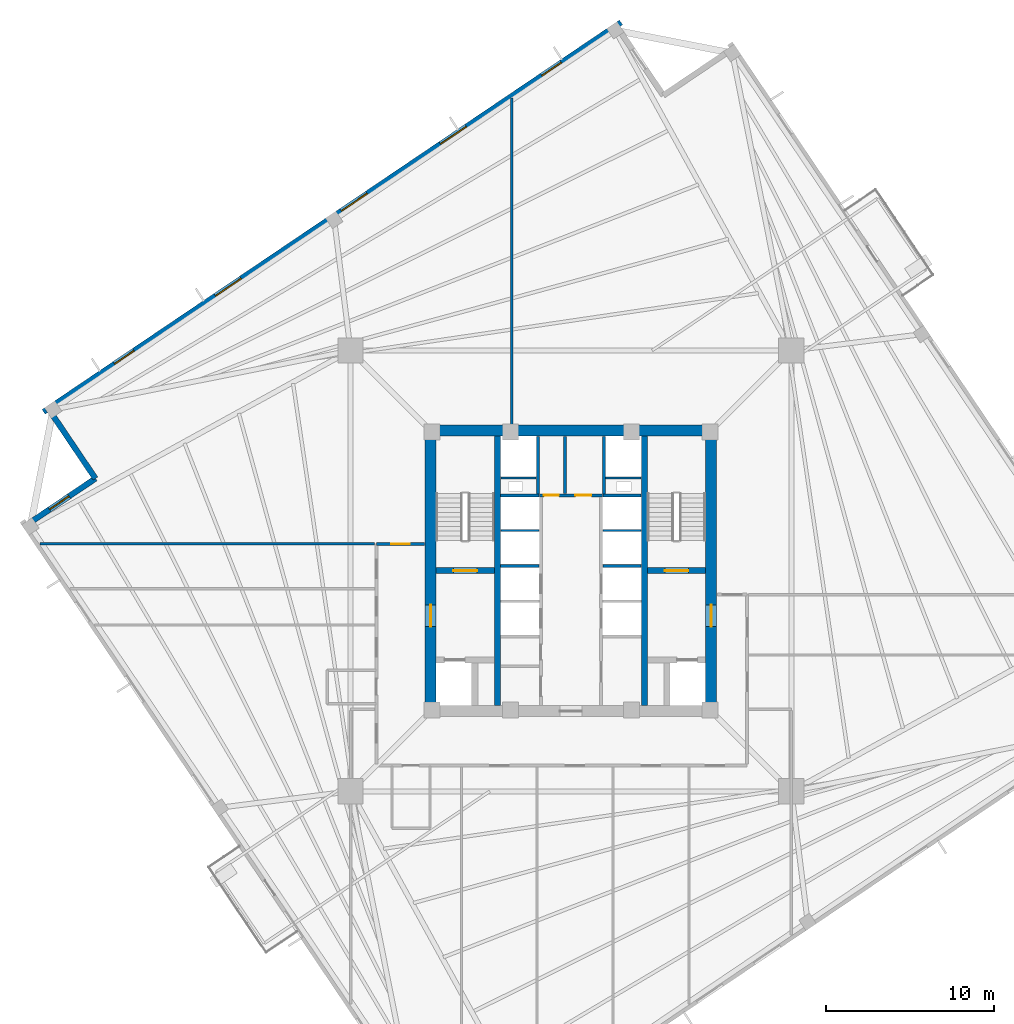
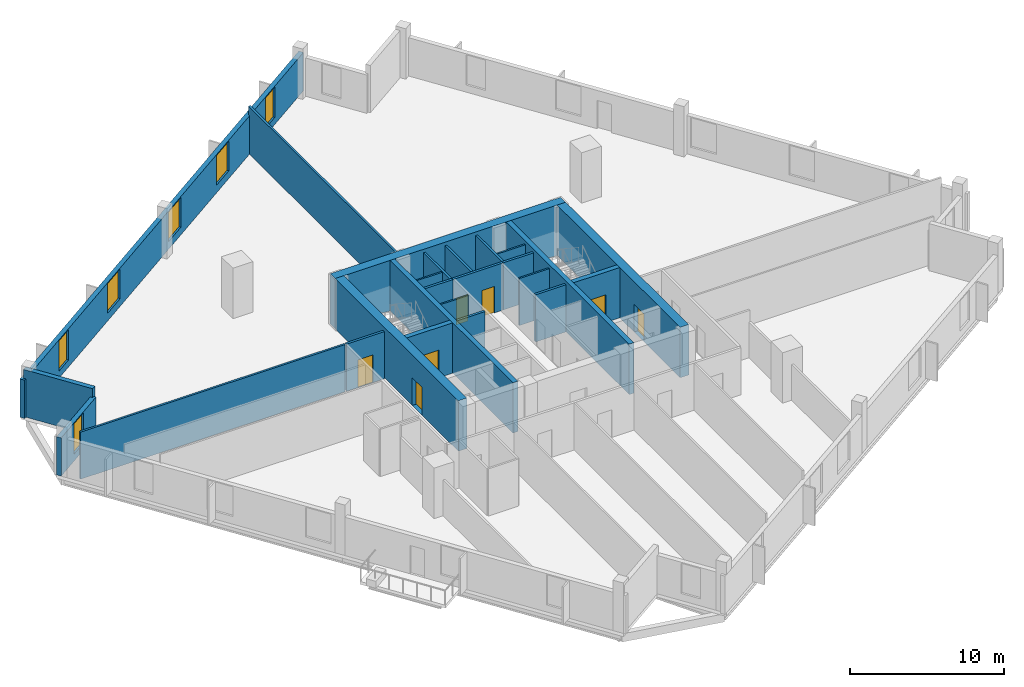
# One storey, part 5 of 9: 25 walls, 7 doors, 6 windows, 13 openings.
"""IFC4 building model written with IfcOpenShell, lengths in metres."""

from ifc_helpers import new_model, si_unit, direction, frame, frame_2d, origin, place, context, subcontext, project, spatial, rectangle, extrude, source, transform, mapped, material, layer, layer_set, type_object, element, fill, save


model = new_model("IFC4")

# Units and contexts
model_context = context("Model", 3, precision=1e-05, world=origin(), true_north=direction((0.0, 1.0)))
body_context = subcontext(model_context, "Body", "Model", "MODEL_VIEW")
ifc_project = project(units=[si_unit("LENGTHUNIT", "METRE"), si_unit("AREAUNIT", "SQUARE_METRE"), si_unit("VOLUMEUNIT", "CUBIC_METRE"), si_unit("PLANEANGLEUNIT", "RADIAN"), si_unit("MASSUNIT", "GRAM", prefix="KILO"), si_unit("THERMODYNAMICTEMPERATUREUNIT", "KELVIN")], contexts=[model_context])

# Site, building, storey
site_placement = place(None, origin())
site = spatial("IfcSite", under=ifc_project, at=site_placement, CompositionType="ELEMENT")
building_placement = place(site_placement, origin())
building = spatial("IfcBuilding", under=site, at=building_placement, Name="Kosmvard Interchange Tower", CompositionType="ELEMENT")
storey_placement = place(building_placement, frame((0.0, 0.0, 156.39990234375)))
storey = spatial("IfcBuildingStorey", under=building, at=storey_placement, Name="L37", CompositionType="ELEMENT", Elevation=156.39990234375)

# Walls
ifc_material_1 = material(Name="Acoustic gypsum partition system")
ifc_layer_1 = layer(ifc_material_1, 0.14990234375, Name="Acoustic gypsum partition system")
ifc_layer_set_1 = layer_set([ifc_layer_1], Name="Acoustic gypsum partition system")
wall_type_1 = type_object("IfcWallType", Name="Acoustic Suite & Meeting Partition 150", PredefinedType="PARTITIONING", material=ifc_layer_set_1)
wall_1_placement = place(storey_placement, frame((-3.5, 8.655029296875, 0.0), z_axis=(0.0, 0.0, 1.0), x_axis=(0.0, 1.0, 0.0)))
element("IfcWall", 1, at=wall_1_placement, inside=storey, type_object=wall_type_1, Name="L37 Room Partition 01.1", PredefinedType="PARTITIONING", context=body_context, shape_type="SweptSolid", body=[
    extrude(rectangle(XDim=19.4111328125, YDim=0.14990234375, at=frame_2d((9.70556640625, 0.0))), origin(), (0.0, 0.0, 1.0), 3.739990234375),
])
wall_2_placement = place(storey_placement, frame((-31.506103515625, 1.60009765625, 0.0), z_axis=(0.0, 0.0, 1.0), x_axis=(1.0, 0.0, 0.0)))
element("IfcWall", 2, at=wall_2_placement, inside=storey, type_object=wall_type_1, Name="L37 Room Partition 03.1", PredefinedType="PARTITIONING", context=body_context, shape_type="SweptSolid", body=[
    extrude(rectangle(XDim=19.861083984375, YDim=0.14990234375, at=frame_2d((9.9306640625, 0.0))), origin(), (0.0, 0.0, 1.0), 3.739990234375),
])
ifc_material_2 = material(Name="Fire-rated gypsum partition system")
ifc_layer_2 = layer(ifc_material_2, 0.159912109375, Name="Fire-rated gypsum partition system")
ifc_layer_set_2 = layer_set([ifc_layer_2], Name="Fire-rated gypsum partition system")
wall_type_2 = type_object("IfcWallType", Name="Core Compartment & Shuttle Lobby Partition 160", PredefinedType="PARTITIONING", material=ifc_layer_set_2)
for number, where, z_axis, x_axis, name in (
    (3, (-1.9599609375, 4.580078125, 0.0), (0.0, 0.0, 1.0), (0.0, 1.0, 0.0), "L37 North Core West Wall"),
    (4, (1.9599609375, 4.580078125, 0.0), (0.0, 0.0, 1.0), (0.0, 1.0, 0.0), "L37 North Core East Wall"),
):
    element("IfcWall", number, at=place(storey_placement, frame(where, z_axis=z_axis, x_axis=x_axis)), inside=storey, type_object=wall_type_2, Name=name, PredefinedType="PARTITIONING", context=body_context, shape_type="SweptSolid", body=[
        extrude(rectangle(XDim=3.39990234375, YDim=0.159912109375, at=frame_2d((1.699951171875, 0.0))), origin(), (0.0, 0.0, 1.0), 3.739990234375),
    ])
ifc_material_3 = material(Name="Concrete blockwork masonry", Category="masonry")
ifc_layer_3 = layer(ifc_material_3, 0.159912109375, Name="Concrete blockwork masonry")
ifc_layer_set_3 = layer_set([ifc_layer_3], Name="Concrete blockwork masonry")
wall_type_3 = type_object("IfcWallType", Name="Core Enclosure Split Wall 160", PredefinedType="PARTITIONING", material=ifc_layer_set_3)
wall_3_placement = place(storey_placement, frame((-0.35009765625, 4.60009765625, 0.0), z_axis=(0.0, 0.0, 1.0), x_axis=(0.0, 1.0, 0.0)))
element("IfcWall", 5, at=wall_3_placement, inside=storey, type_object=wall_type_3, Name="L37 Core K2 Split Wall", PredefinedType="PARTITIONING", context=body_context, shape_type="SweptSolid", body=[
    extrude(rectangle(XDim=3.3798828125, YDim=0.159912109375, at=frame_2d((1.68994140625, 0.0))), origin(), (0.0, 0.0, 1.0), 3.739990234375),
])

# Wall, openings, doors
ifc_layer_4 = layer(ifc_material_2, 0.179931640625, Name="Fire-rated gypsum partition system")
ifc_layer_set_4 = layer_set([ifc_layer_4], Name="Fire-rated gypsum partition system")
wall_type_4 = type_object("IfcWallType", Name="Corridor & Hotel Compartment Partition 180", PredefinedType="PARTITIONING", material=ifc_layer_set_4)
wall_4_placement = place(storey_placement, frame((-1.8798828125, 4.489990234375, 0.0), z_axis=(0.0, 0.0, 1.0), x_axis=(1.0, 0.0, 0.0)))
wall_4 = element("IfcWall", 6, at=wall_4_placement, inside=storey, type_object=wall_type_4, Name="L37 Lift Lobby North Partition", PredefinedType="PARTITIONING", context=body_context, shape_type="SweptSolid", body=[
    extrude(rectangle(XDim=3.759765625, YDim=0.179931640625, at=frame_2d((1.8798828125, 0.0))), origin(), (0.0, 0.0, 1.0), 3.739990234375),
])
opening_1_placement = place(wall_4_placement, frame((0.280029296875, 0.0, 0.0)))
opening_1 = element("IfcOpeningElement", 7, at=opening_1_placement, cuts=wall_4, Name="Opening L37-KD1", PredefinedType="OPENING", context=body_context, shape_type="SweptSolid", body=[
    extrude(rectangle(XDim=0.8798828125, YDim=2.10009765625, at=frame_2d((0.43994140625, 1.050048828125))), frame((0.0, 0.10009765625, 0.0), z_axis=(0.0, -1.0, 0.0), x_axis=(1.0, 0.0, 0.0)), (0.0, 0.0, 1.0), 0.199951171875),
])
opening_2_placement = place(wall_4_placement, frame((2.14990234375, 0.0, 0.0)))
opening_2 = element("IfcOpeningElement", 8, at=opening_2_placement, cuts=wall_4, Name="Opening L37-KD2", PredefinedType="OPENING", context=body_context, shape_type="SweptSolid", body=[
    extrude(rectangle(XDim=0.949951171875, YDim=2.10009765625, at=frame_2d((0.47509765625, 1.050048828125))), frame((0.0, 0.10009765625, 0.0), z_axis=(0.0, -1.0, 0.0), x_axis=(1.0, 0.0, 0.0)), (0.0, 0.0, 1.0), 0.199951171875),
])
ifc_material_4 = material(Name="Painted fire-rated timber leaf", Category="wood")
door_type_1 = type_object("IfcDoorType", Name="Core Service Fire Door 950x2100 EI30", OperationType="NOTDEFINED", PredefinedType="DOOR", material=ifc_material_4)
shared_shape_1 = source(origin(), body_context, "Body", "SweptSolid", [
    extrude(rectangle(XDim=0.949951171875, YDim=2.10009765625, at=frame_2d((0.47509765625, 1.050048828125))), frame((0.0, 0.02490234375, 0.0), z_axis=(0.0, -1.0, 0.0), x_axis=(1.0, 0.0, 0.0)), (0.0, 0.0, 1.0), 0.050048828125),
])
door_1_placement = place(opening_2_placement, origin())
door_1 = element("IfcDoor", 9, at=door_1_placement, inside=storey, type_object=door_type_1, Name="L37 Core Tea Pantry Door", OperationType="SINGLE_SWING_RIGHT", OverallHeight=2.10009765625, OverallWidth=0.949951171875, PredefinedType="DOOR", context=body_context, shape_type="MappedRepresentation", body=[
    mapped(shared_shape_1, transform((0.0, 0.0, 0.0), scale=1.0)),
])
fill(opening_2, door_1)
door_type_2 = type_object("IfcDoorType", Name="Core Cupboard Fire Door 880x2100 EI30", OperationType="NOTDEFINED", PredefinedType="DOOR", material=ifc_material_4)
shared_shape_2 = source(origin(), body_context, "Body", "SweptSolid", [
    extrude(rectangle(XDim=0.8798828125, YDim=2.10009765625, at=frame_2d((0.43994140625, 1.050048828125))), frame((0.0, 0.02490234375, 0.0), z_axis=(0.0, -1.0, 0.0), x_axis=(1.0, 0.0, 0.0)), (0.0, 0.0, 1.0), 0.050048828125),
])
door_2_placement = place(opening_1_placement, origin())
door_2 = element("IfcDoor", 10, at=door_2_placement, inside=storey, type_object=door_type_2, Name="L37 Core Cleaner Cupboard Door", OperationType="SINGLE_SWING_LEFT", OverallHeight=2.10009765625, OverallWidth=0.8798828125, PredefinedType="DOOR", context=body_context, shape_type="MappedRepresentation", body=[
    mapped(shared_shape_2, transform((0.0, 0.0, 0.0), scale=1.0)),
])
fill(opening_1, door_2)

# Wall, opening, door
wall_5_placement = place(storey_placement, frame((-11.550048828125, 1.60009765625, 0.0), z_axis=(0.0, 0.0, 1.0), x_axis=(1.0, 0.0, 0.0)))
wall_5 = element("IfcWall", 11, at=wall_5_placement, inside=storey, type_object=wall_type_4, Name="L37 Corridor Wall CNW", PredefinedType="PARTITIONING", context=body_context, shape_type="SweptSolid", body=[
    extrude(rectangle(XDim=2.85009765625, YDim=0.179931640625, at=frame_2d((1.425048828125, 0.0))), origin(), (0.0, 0.0, 1.0), 3.739990234375),
])
opening_3_placement = place(wall_5_placement, frame((0.875, 0.0, 0.0)))
opening_3 = element("IfcOpeningElement", 12, at=opening_3_placement, cuts=wall_5, Name="Opening L37-D04", PredefinedType="OPENING", context=body_context, shape_type="SweptSolid", body=[
    extrude(rectangle(XDim=1.10009765625, YDim=2.199951171875, at=frame_2d((0.550048828125, 1.10009765625))), frame((0.0, 0.10009765625, 0.0), z_axis=(0.0, -1.0, 0.0), x_axis=(1.0, 0.0, 0.0)), (0.0, 0.0, 1.0), 0.199951171875),
])
ifc_material_5 = material(Name="Engineered oak fire-rated timber", Category="wood")
door_type_3 = type_object("IfcDoorType", Name="Office Suite Entrance Door 1100x2200 FD30S", OperationType="NOTDEFINED", PredefinedType="DOOR", material=ifc_material_5)
shared_shape_3 = source(origin(), body_context, "Body", "SweptSolid", [
    extrude(rectangle(XDim=1.10009765625, YDim=2.199951171875, at=frame_2d((0.550048828125, 1.10009765625))), frame((0.0, 0.02490234375, 0.0), z_axis=(0.0, -1.0, 0.0), x_axis=(1.0, 0.0, 0.0)), (0.0, 0.0, 1.0), 0.050048828125),
])
door_3_placement = place(opening_3_placement, origin())
door_3 = element("IfcDoor", 13, at=door_3_placement, inside=storey, type_object=door_type_3, Name="L37 North-West Software Workplace Door", OperationType="SINGLE_SWING_RIGHT", OverallHeight=2.199951171875, OverallWidth=1.10009765625, PredefinedType="DOOR", context=body_context, shape_type="MappedRepresentation", body=[
    mapped(shared_shape_3, transform((0.0, 0.0, 0.0), scale=1.0)),
])
fill(opening_3, door_3)

# Wall
ifc_material_6 = material(Name="Concrete C70/85", Category="concrete")
ifc_layer_5 = layer(ifc_material_6, 0.64990234375, Name="Concrete C70/85")
ifc_layer_set_5 = layer_set([ifc_layer_5], Name="Concrete C70/85")
wall_type_5 = type_object("IfcWallType", Name="Mid Core Shear Wall 650 C70/85", PredefinedType="SHEAR", material=ifc_layer_set_5)
wall_6_placement = place(storey_placement, frame((-8.64990234375, 8.324951171875, 0.0), z_axis=(0.0, 0.0, 1.0), x_axis=(1.0, 0.0, 0.0)))
element("IfcWall", 14, at=wall_6_placement, inside=storey, type_object=wall_type_5, Name="L37 Core Shear Wall CW-N", PredefinedType="SHEAR", context=body_context, shape_type="SweptSolid", body=[
    extrude(rectangle(XDim=17.2998046875, YDim=0.64990234375, at=frame_2d((8.64990234375, 0.0))), origin(), (0.0, 0.0, 1.0), 4.0),
])

# Wall, opening, door
wall_7_placement = place(storey_placement, frame((-8.324951171875, -8.0, 0.0), z_axis=(0.0, 0.0, 1.0), x_axis=(0.0, 1.0, 0.0)))
wall_7 = element("IfcWall", 15, at=wall_7_placement, inside=storey, type_object=wall_type_5, Name="L37 Core Shear Wall CW-W", PredefinedType="SHEAR", context=body_context, shape_type="SweptSolid", body=[
    extrude(rectangle(XDim=16.0, YDim=0.64990234375, at=frame_2d((8.0, 0.0))), origin(), (0.0, 0.0, 1.0), 4.0),
])
opening_4_placement = place(wall_7_placement, frame((4.68994140625, 0.0, 0.0)))
opening_4 = element("IfcOpeningElement", 16, at=opening_4_placement, cuts=wall_7, Name="Opening L37-FD1", PredefinedType="OPENING", context=body_context, shape_type="SweptSolid", body=[
    extrude(rectangle(XDim=1.300048828125, YDim=2.199951171875, at=frame_2d((0.64990234375, 1.10009765625))), frame((0.0, 0.3349609375, 0.0), z_axis=(0.0, -1.0, 0.0), x_axis=(1.0, 0.0, 0.0)), (0.0, 0.0, 1.0), 0.669921875),
])
ifc_material_7 = material(Name="Painted fire-rated steel leaf", Category="steel")
door_type_4 = type_object("IfcDoorType", Name="Firefighting Lobby Door 1300x2200 EI60", OperationType="NOTDEFINED", PredefinedType="DOOR", material=ifc_material_7)
shared_shape_4 = source(origin(), body_context, "Body", "SweptSolid", [
    extrude(rectangle(XDim=1.300048828125, YDim=2.199951171875, at=frame_2d((0.64990234375, 1.10009765625))), frame((0.0, 0.02490234375, 0.0), z_axis=(0.0, -1.0, 0.0), x_axis=(1.0, 0.0, 0.0)), (0.0, 0.0, 1.0), 0.050048828125),
])
door_4_placement = place(opening_4_placement, frame((1.300048828125, 0.0, 0.0), z_axis=(0.0, 0.0, 1.0), x_axis=(-1.0, 0.0, 0.0)))
door_4 = element("IfcDoor", 17, at=door_4_placement, inside=storey, type_object=door_type_4, Name="L37 Firefighting Lobby West Door", OperationType="SINGLE_SWING_LEFT", OverallHeight=2.199951171875, OverallWidth=1.300048828125, PredefinedType="DOOR", context=body_context, shape_type="MappedRepresentation", body=[
    mapped(shared_shape_4, transform((0.0, 0.0, 0.0), scale=1.0)),
])
fill(opening_4, door_4)

wall_8_placement = place(storey_placement, frame((8.324951171875, -8.0, 0.0), z_axis=(0.0, 0.0, 1.0), x_axis=(0.0, 1.0, 0.0)))
wall_8 = element("IfcWall", 18, at=wall_8_placement, inside=storey, type_object=wall_type_5, Name="L37 Core Shear Wall CW-E", PredefinedType="SHEAR", context=body_context, shape_type="SweptSolid", body=[
    extrude(rectangle(XDim=16.0, YDim=0.64990234375, at=frame_2d((8.0, 0.0))), origin(), (0.0, 0.0, 1.0), 4.0),
])
opening_5_placement = place(wall_8_placement, frame((4.68994140625, 0.0, 0.0)))
opening_5 = element("IfcOpeningElement", 19, at=opening_5_placement, cuts=wall_8, Name="Opening L37-FD2", PredefinedType="OPENING", context=body_context, shape_type="SweptSolid", body=[
    extrude(rectangle(XDim=1.300048828125, YDim=2.199951171875, at=frame_2d((0.64990234375, 1.10009765625))), frame((0.0, 0.3349609375, 0.0), z_axis=(0.0, -1.0, 0.0), x_axis=(1.0, 0.0, 0.0)), (0.0, 0.0, 1.0), 0.669921875),
])
door_5_placement = place(opening_5_placement, origin())
door_5 = element("IfcDoor", 20, at=door_5_placement, inside=storey, type_object=door_type_4, Name="L37 Firefighting Lobby East Door", OperationType="SINGLE_SWING_RIGHT", OverallHeight=2.199951171875, OverallWidth=1.300048828125, PredefinedType="DOOR", context=body_context, shape_type="MappedRepresentation", body=[
    mapped(shared_shape_4, transform((0.0, 0.0, 0.0), scale=1.0)),
])
fill(opening_5, door_5)

# Wall, openings, windows
ifc_material_8 = material(Name="Precast concrete C45/55", Category="concrete")
ifc_layer_6 = layer(ifc_material_8, 0.340087890625, Name="Precast concrete C45/55")
ifc_layer_set_6 = layer_set([ifc_layer_6], Name="Precast concrete C45/55")
wall_type_6 = type_object("IfcWallType", Name="Mid Tower Precast Pier Wall 340 C45/55", PredefinedType="STANDARD", material=ifc_layer_set_6)
wall_9_placement = place(storey_placement, frame((2.971923828125, 32.55810546875, 0.0), z_axis=(0.0, 0.0, 1.0), x_axis=(-0.829036218961, -0.559194910251, 0.0)))
wall_9 = element("IfcWall", 21, at=wall_9_placement, inside=storey, type_object=wall_type_6, Name="L37 Precast Facade Wall F-N", PredefinedType="STANDARD", context=body_context, shape_type="SweptSolid", body=[
    extrude(rectangle(XDim=41.340087890625, YDim=0.340087890625, at=frame_2d((20.669921875, 0.0))), origin(), (0.0, 0.0, 1.0), 3.0400390625),
])
opening_6_placement = place(wall_9_placement, frame((4.2607421875, 0.0, 0.56005859375)))
opening_6 = element("IfcOpeningElement", 22, at=opening_6_placement, cuts=wall_9, Name="Opening L37-W11", PredefinedType="OPENING", context=body_context, shape_type="SweptSolid", body=[
    extrude(rectangle(XDim=1.39990234375, YDim=2.39990234375, at=frame_2d((0.699951171875, 1.199951171875))), frame((0.0, 0.18017578125, 0.0), z_axis=(0.0, -1.0, 0.0), x_axis=(1.0, 0.0, 0.0)), (0.0, 0.0, 1.0), 0.360107421875),
])
opening_7_placement = place(wall_9_placement, frame((11.063720703125, 0.0, 0.610107421875)))
opening_7 = element("IfcOpeningElement", 23, at=opening_7_placement, cuts=wall_9, Name="Opening L37-W12", PredefinedType="OPENING", context=body_context, shape_type="SweptSolid", body=[
    extrude(rectangle(XDim=1.85009765625, YDim=2.35009765625, at=frame_2d((0.925048828125, 1.175048828125))), frame((0.0, 0.18017578125, 0.0), z_axis=(0.0, -1.0, 0.0), x_axis=(1.0, 0.0, 0.0)), (0.0, 0.0, 1.0), 0.360107421875),
])
opening_8_placement = place(wall_9_placement, frame((18.168212890625, 0.0, 0.610107421875)))
opening_8 = element("IfcOpeningElement", 24, at=opening_8_placement, cuts=wall_9, Name="Opening L37-W13", PredefinedType="OPENING", context=body_context, shape_type="SweptSolid", body=[
    extrude(rectangle(XDim=1.85009765625, YDim=2.35009765625, at=frame_2d((0.925048828125, 1.175048828125))), frame((0.0, 0.18017578125, 0.0), z_axis=(0.0, -1.0, 0.0), x_axis=(1.0, 0.0, 0.0)), (0.0, 0.0, 1.0), 0.360107421875),
])
opening_9_placement = place(wall_9_placement, frame((27.186279296875, 0.0, 0.610107421875)))
opening_9 = element("IfcOpeningElement", 25, at=opening_9_placement, cuts=wall_9, Name="Opening L37-W14", PredefinedType="OPENING", context=body_context, shape_type="SweptSolid", body=[
    extrude(rectangle(XDim=1.85009765625, YDim=2.35009765625, at=frame_2d((0.925048828125, 1.175048828125))), frame((0.0, 0.18017578125, 0.0), z_axis=(0.0, -1.0, 0.0), x_axis=(1.0, 0.0, 0.0)), (0.0, 0.0, 1.0), 0.360107421875),
])
opening_10_placement = place(wall_9_placement, frame((34.852294921875, 0.0, 0.56005859375)))
opening_10 = element("IfcOpeningElement", 26, at=opening_10_placement, cuts=wall_9, Name="Opening L37-W15", PredefinedType="OPENING", context=body_context, shape_type="SweptSolid", body=[
    extrude(rectangle(XDim=1.39990234375, YDim=2.39990234375, at=frame_2d((0.699951171875, 1.199951171875))), frame((0.0, 0.18017578125, 0.0), z_axis=(0.0, -1.0, 0.0), x_axis=(1.0, 0.0, 0.0)), (0.0, 0.0, 1.0), 0.360107421875),
])
ifc_material_9 = material(Name="Low-E solar-control double glazing", Category="glass")
window_type_1 = type_object("IfcWindowType", Name="Notched Corner Feature Window 1400x2400", PartitioningType="SINGLE_PANEL", PredefinedType="WINDOW", material=ifc_material_9)
shared_shape_5 = source(origin(), body_context, "Body", "SweptSolid", [
    extrude(rectangle(XDim=1.39990234375, YDim=2.39990234375, at=frame_2d((0.699951171875, 1.199951171875))), frame((0.0, 0.030029296875, 0.0), z_axis=(0.0, -1.0, 0.0), x_axis=(1.0, 0.0, 0.0)), (0.0, 0.0, 1.0), 0.06005859375),
])
window_1_placement = place(opening_6_placement, origin())
window_1 = element("IfcWindow", 27, at=window_1_placement, inside=storey, type_object=window_type_1, Name="L37 Facade Punched Window 11", OverallHeight=2.39990234375, OverallWidth=1.39990234375, PartitioningType="SINGLE_PANEL", PredefinedType="WINDOW", context=body_context, shape_type="MappedRepresentation", body=[
    mapped(shared_shape_5, transform((0.0, 0.0, 0.0), scale=1.0)),
])
fill(opening_6, window_1)
window_2_placement = place(opening_10_placement, origin())
window_2 = element("IfcWindow", 28, at=window_2_placement, inside=storey, type_object=window_type_1, Name="L37 Facade Punched Window 15", OverallHeight=2.39990234375, OverallWidth=1.39990234375, PartitioningType="SINGLE_PANEL", PredefinedType="WINDOW", context=body_context, shape_type="MappedRepresentation", body=[
    mapped(shared_shape_5, transform((0.0, 0.0, 0.0), scale=1.0)),
])
fill(opening_10, window_2)
window_type_2 = type_object("IfcWindowType", Name="Zone 3 Office Punched Window 1850x2350", PartitioningType="SINGLE_PANEL", PredefinedType="WINDOW", material=ifc_material_9)
shared_shape_6 = source(origin(), body_context, "Body", "SweptSolid", [
    extrude(rectangle(XDim=1.85009765625, YDim=2.35009765625, at=frame_2d((0.925048828125, 1.175048828125))), frame((0.0, 0.030029296875, 0.0), z_axis=(0.0, -1.0, 0.0), x_axis=(1.0, 0.0, 0.0)), (0.0, 0.0, 1.0), 0.06005859375),
])
window_3_placement = place(opening_7_placement, origin())
window_3 = element("IfcWindow", 29, at=window_3_placement, inside=storey, type_object=window_type_2, Name="L37 Facade Punched Window 12", OverallHeight=2.35009765625, OverallWidth=1.85009765625, PartitioningType="SINGLE_PANEL", PredefinedType="WINDOW", context=body_context, shape_type="MappedRepresentation", body=[
    mapped(shared_shape_6, transform((0.0, 0.0, 0.0), scale=1.0)),
])
fill(opening_7, window_3)
window_4_placement = place(opening_8_placement, origin())
window_4 = element("IfcWindow", 30, at=window_4_placement, inside=storey, type_object=window_type_2, Name="L37 Facade Punched Window 13", OverallHeight=2.35009765625, OverallWidth=1.85009765625, PartitioningType="SINGLE_PANEL", PredefinedType="WINDOW", context=body_context, shape_type="MappedRepresentation", body=[
    mapped(shared_shape_6, transform((0.0, 0.0, 0.0), scale=1.0)),
])
fill(opening_8, window_4)
window_5_placement = place(opening_9_placement, origin())
window_5 = element("IfcWindow", 31, at=window_5_placement, inside=storey, type_object=window_type_2, Name="L37 Facade Punched Window 14", OverallHeight=2.35009765625, OverallWidth=1.85009765625, PartitioningType="SINGLE_PANEL", PredefinedType="WINDOW", context=body_context, shape_type="MappedRepresentation", body=[
    mapped(shared_shape_6, transform((0.0, 0.0, 0.0), scale=1.0)),
])
fill(opening_9, window_5)

# Wall
wall_10_placement = place(storey_placement, frame((-31.018798828125, 9.631103515625, 0.0), z_axis=(0.0, 0.0, 1.0), x_axis=(0.559210350234, -0.829025804298, 0.0)))
element("IfcWall", 32, at=wall_10_placement, inside=storey, type_object=wall_type_6, Name="L37 Precast Facade Wall N-NW1", PredefinedType="STANDARD", context=body_context, shape_type="SweptSolid", body=[
    extrude(rectangle(XDim=5.000244140625, YDim=0.340087890625, at=frame_2d((2.5, 0.0))), origin(), (0.0, 0.0, 1.0), 3.739990234375),
])

# Wall, opening, window
wall_11_placement = place(storey_placement, frame((-28.22265625, 5.48583984375, 0.0), z_axis=(0.0, 0.0, 1.0), x_axis=(-0.82905227345, -0.559171107879, 0.0)))
wall_11 = element("IfcWall", 33, at=wall_11_placement, inside=storey, type_object=wall_type_6, Name="L37 Precast Facade Wall N-NW2", PredefinedType="STANDARD", context=body_context, shape_type="SweptSolid", body=[
    extrude(rectangle(XDim=5.169921875, YDim=0.340087890625, at=frame_2d((2.5849609375, 0.0))), origin(), (0.0, 0.0, 1.0), 3.0400390625),
])
opening_11_placement = place(wall_11_placement, frame((1.885009765625, 0.0, 0.56005859375)))
opening_11 = element("IfcOpeningElement", 34, at=opening_11_placement, cuts=wall_11, Name="Opening L37-W23", PredefinedType="OPENING", context=body_context, shape_type="SweptSolid", body=[
    extrude(rectangle(XDim=1.39990234375, YDim=2.39990234375, at=frame_2d((0.699951171875, 1.199951171875))), frame((0.0, 0.18017578125, 0.0), z_axis=(0.0, -1.0, 0.0), x_axis=(1.0, 0.0, 0.0)), (0.0, 0.0, 1.0), 0.360107421875),
])
window_6_placement = place(opening_11_placement, origin())
window_6 = element("IfcWindow", 35, at=window_6_placement, inside=storey, type_object=window_type_1, Name="L37 Corner Notch Window 23", OverallHeight=2.39990234375, OverallWidth=1.39990234375, PartitioningType="SINGLE_PANEL", PredefinedType="WINDOW", context=body_context, shape_type="MappedRepresentation", body=[
    mapped(shared_shape_5, transform((0.0, 0.0, 0.0), scale=1.0)),
])
fill(opening_11, window_6)

# Walls
ifc_layer_7 = layer(ifc_material_3, 0.179931640625, Name="Concrete blockwork masonry")
ifc_layer_set_7 = layer_set([ifc_layer_7], Name="Concrete blockwork masonry")
wall_type_7 = type_object("IfcWallType", Name="Riser & Lift Bank Divider Wall 180", PredefinedType="PARTITIONING", material=ifc_layer_set_7)
for number, where, z_axis, x_axis, name in (
    (36, (-4.169921875, 0.300048828125, 0.0), (0.0, 0.0, 1.0), (1.0, 0.0, 0.0), "L37 West Bank Divider BD2"),
    (37, (1.889892578125, 0.300048828125, 0.0), (0.0, 0.0, 1.0), (1.0, 0.0, 0.0), "L37 East Bank Divider BD2"),
    (38, (-4.169921875, 4.489990234375, 0.0), (0.0, 0.0, 1.0), (1.0, 0.0, 0.0), "L37 West Bank Divider BD3"),
    (39, (1.889892578125, 4.489990234375, 0.0), (0.0, 0.0, 1.0), (1.0, 0.0, 0.0), "L37 East Bank Divider BD3"),
):
    element("IfcWall", number, at=place(storey_placement, frame(where, z_axis=z_axis, x_axis=x_axis)), inside=storey, type_object=wall_type_7, Name=name, PredefinedType="PARTITIONING", context=body_context, shape_type="SweptSolid", body=[
        extrude(rectangle(XDim=2.280029296875, YDim=0.179931640625, at=frame_2d((1.14013671875, 0.0))), origin(), (0.0, 0.0, 1.0), 3.739990234375),
    ])
ifc_material_10 = material(Name="Fire-rated gypsum shaftwall system")
ifc_layer_8 = layer(ifc_material_10, 0.1201171875, Name="Fire-rated gypsum shaftwall system")
ifc_layer_set_8 = layer_set([ifc_layer_8], Name="Fire-rated gypsum shaftwall system")
wall_type_8 = type_object("IfcWallType", Name="Shaft & Riser Fire Partition 120 EI60", PredefinedType="PARTITIONING", material=ifc_layer_set_8)
for number, where, z_axis, x_axis, name in (
    (40, (-4.159912109375, 2.39990234375, 0.0), (0.0, 0.0, 1.0), (1.0, 0.0, 0.0), "L37 Shaft Divider PL-H1"),
    (41, (1.89990234375, 2.39990234375, 0.0), (0.0, 0.0, 1.0), (1.0, 0.0, 0.0), "L37 Shaft Divider PL-H3"),
):
    element("IfcWall", number, at=place(storey_placement, frame(where, z_axis=z_axis, x_axis=x_axis)), inside=storey, type_object=wall_type_8, Name=name, PredefinedType="PARTITIONING", context=body_context, shape_type="SweptSolid", body=[
        extrude(rectangle(XDim=2.260009765625, YDim=0.1201171875, at=frame_2d((1.1298828125, 0.0))), origin(), (0.0, 0.0, 1.0), 3.739990234375),
    ])
for number, where, z_axis, x_axis, name in (
    (42, (-4.159912109375, 5.52001953125, 0.0), (0.0, 0.0, 1.0), (1.0, 0.0, 0.0), "L37 Riser Shaft Divider W"),
    (43, (2.06005859375, 5.52001953125, 0.0), (0.0, 0.0, 1.0), (1.0, 0.0, 0.0), "L37 Riser Shaft Divider E"),
):
    element("IfcWall", number, at=place(storey_placement, frame(where, z_axis=z_axis, x_axis=x_axis)), inside=storey, type_object=wall_type_8, Name=name, PredefinedType="PARTITIONING", context=body_context, shape_type="SweptSolid", body=[
        extrude(rectangle(XDim=2.099853515625, YDim=0.1201171875, at=frame_2d((1.0498046875, 0.0))), origin(), (0.0, 0.0, 1.0), 3.739990234375),
    ])
ifc_material_11 = material(Name="Concrete C60/75", Category="concrete")
ifc_layer_9 = layer(ifc_material_11, 0.360107421875, Name="Concrete C60/75")
ifc_layer_set_9 = layer_set([ifc_layer_9], Name="Concrete C60/75")
wall_type_9 = type_object("IfcWallType", Name="Stair & Lift Shaft Shear Wall 360 C60/75", PredefinedType="SHEAR", material=ifc_layer_set_9)
for number, where, z_axis, x_axis, name in (
    (44, (-4.360107421875, -8.0, 0.0), (0.0, 0.0, 1.0), (0.0, 1.0, 0.0), "L37 Shaft Shear Wall SW-W"),
    (45, (4.360107421875, -8.0, 0.0), (0.0, 0.0, 1.0), (0.0, 1.0, 0.0), "L37 Shaft Shear Wall SW-E"),
):
    element("IfcWall", number, at=place(storey_placement, frame(where, z_axis=z_axis, x_axis=x_axis)), inside=storey, type_object=wall_type_9, Name=name, PredefinedType="SHEAR", context=body_context, shape_type="SweptSolid", body=[
        extrude(rectangle(XDim=16.0, YDim=0.360107421875, at=frame_2d((8.0, 0.0))), origin(), (0.0, 0.0, 1.0), 4.0),
    ])

# Wall, opening, door
wall_12_placement = place(storey_placement, frame((-8.0, 0.02001953125, 0.0), z_axis=(0.0, 0.0, 1.0), x_axis=(1.0, 0.0, 0.0)))
wall_12 = element("IfcWall", 46, at=wall_12_placement, inside=storey, type_object=wall_type_9, Name="L37 Shaft Shear Wall SW-ST1", PredefinedType="SHEAR", context=body_context, shape_type="SweptSolid", body=[
    extrude(rectangle(XDim=3.4599609375, YDim=0.360107421875, at=frame_2d((1.72998046875, 0.0))), origin(), (0.0, 0.0, 1.0), 4.0),
])
opening_12_placement = place(wall_12_placement, frame((1.030029296875, 0.0, 0.0)))
opening_12 = element("IfcOpeningElement", 47, at=opening_12_placement, cuts=wall_12, Name="Opening L37-SD1", PredefinedType="OPENING", context=body_context, shape_type="SweptSolid", body=[
    extrude(rectangle(XDim=1.39990234375, YDim=2.199951171875, at=frame_2d((0.699951171875, 1.10009765625))), frame((0.0, 0.18994140625, 0.0), z_axis=(0.0, -1.0, 0.0), x_axis=(1.0, 0.0, 0.0)), (0.0, 0.0, 1.0), 0.380126953125),
])
door_type_5 = type_object("IfcDoorType", Name="Protected Stair Door 1400x2200 FD60S", OperationType="NOTDEFINED", PredefinedType="DOOR", material=ifc_material_7)
shared_shape_7 = source(origin(), body_context, "Body", "SweptSolid", [
    extrude(rectangle(XDim=1.39990234375, YDim=2.199951171875, at=frame_2d((0.699951171875, 1.10009765625))), frame((0.0, 0.02490234375, 0.0), z_axis=(0.0, -1.0, 0.0), x_axis=(1.0, 0.0, 0.0)), (0.0, 0.0, 1.0), 0.050048828125),
])
door_6_placement = place(opening_12_placement, origin())
door_6 = element("IfcDoor", 48, at=door_6_placement, inside=storey, type_object=door_type_5, Name="L37 Stair ST-1 Enclosure Door", OperationType="SINGLE_SWING_LEFT", OverallHeight=2.199951171875, OverallWidth=1.39990234375, PredefinedType="DOOR", context=body_context, shape_type="MappedRepresentation", body=[
    mapped(shared_shape_7, transform((0.0, 0.0, 0.0), scale=1.0)),
])
fill(opening_12, door_6)

wall_13_placement = place(storey_placement, frame((4.5400390625, 0.02001953125, 0.0), z_axis=(0.0, 0.0, 1.0), x_axis=(1.0, 0.0, 0.0)))
wall_13 = element("IfcWall", 49, at=wall_13_placement, inside=storey, type_object=wall_type_9, Name="L37 Shaft Shear Wall SW-ST2", PredefinedType="SHEAR", context=body_context, shape_type="SweptSolid", body=[
    extrude(rectangle(XDim=3.4599609375, YDim=0.360107421875, at=frame_2d((1.72998046875, 0.0))), origin(), (0.0, 0.0, 1.0), 4.0),
])
opening_13_placement = place(wall_13_placement, frame((1.030029296875, 0.0, 0.0)))
opening_13 = element("IfcOpeningElement", 50, at=opening_13_placement, cuts=wall_13, Name="Opening L37-SD2", PredefinedType="OPENING", context=body_context, shape_type="SweptSolid", body=[
    extrude(rectangle(XDim=1.39990234375, YDim=2.199951171875, at=frame_2d((0.699951171875, 1.10009765625))), frame((0.0, 0.18994140625, 0.0), z_axis=(0.0, -1.0, 0.0), x_axis=(1.0, 0.0, 0.0)), (0.0, 0.0, 1.0), 0.380126953125),
])
door_7_placement = place(opening_13_placement, origin())
door_7 = element("IfcDoor", 51, at=door_7_placement, inside=storey, type_object=door_type_5, Name="L37 Stair ST-2 Enclosure Door", OperationType="SINGLE_SWING_RIGHT", OverallHeight=2.199951171875, OverallWidth=1.39990234375, PredefinedType="DOOR", context=body_context, shape_type="MappedRepresentation", body=[
    mapped(shared_shape_7, transform((0.0, 0.0, 0.0), scale=1.0)),
])
fill(opening_13, door_7)

save(model, "model.ifc")
